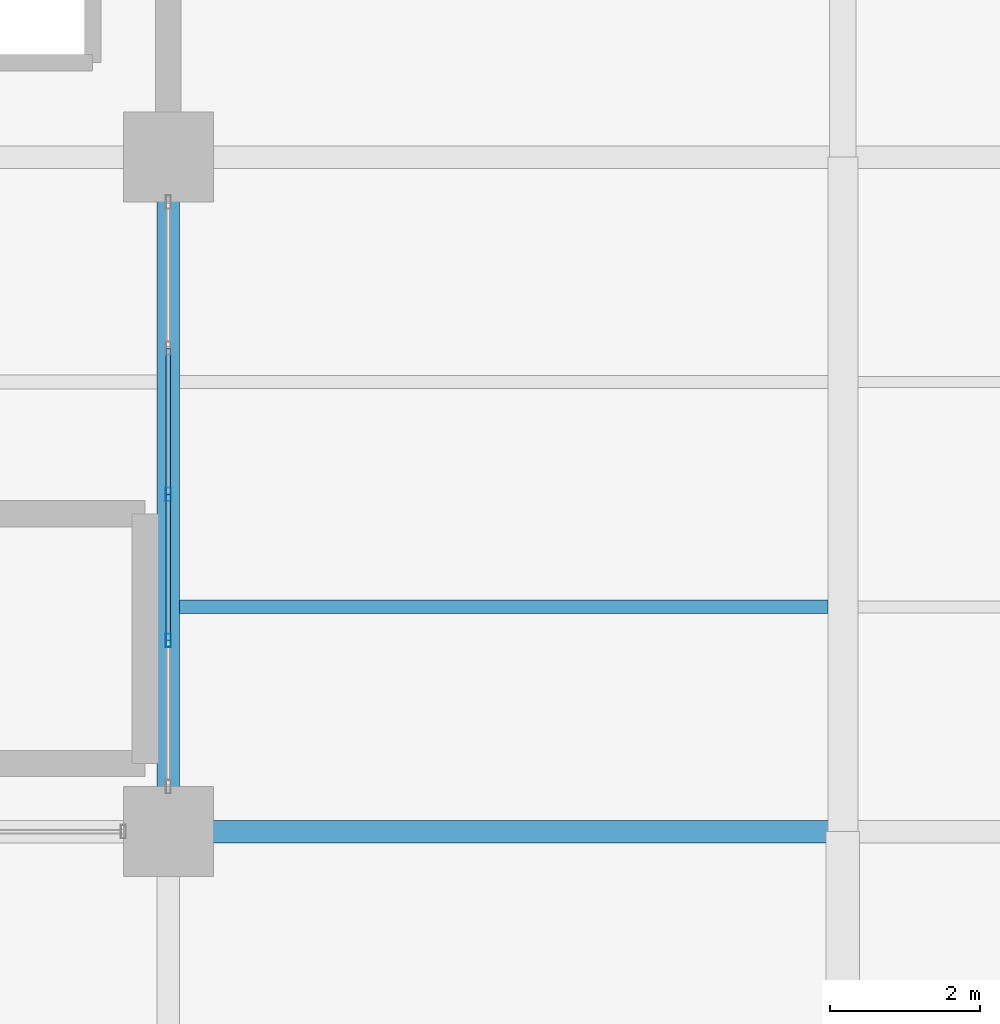
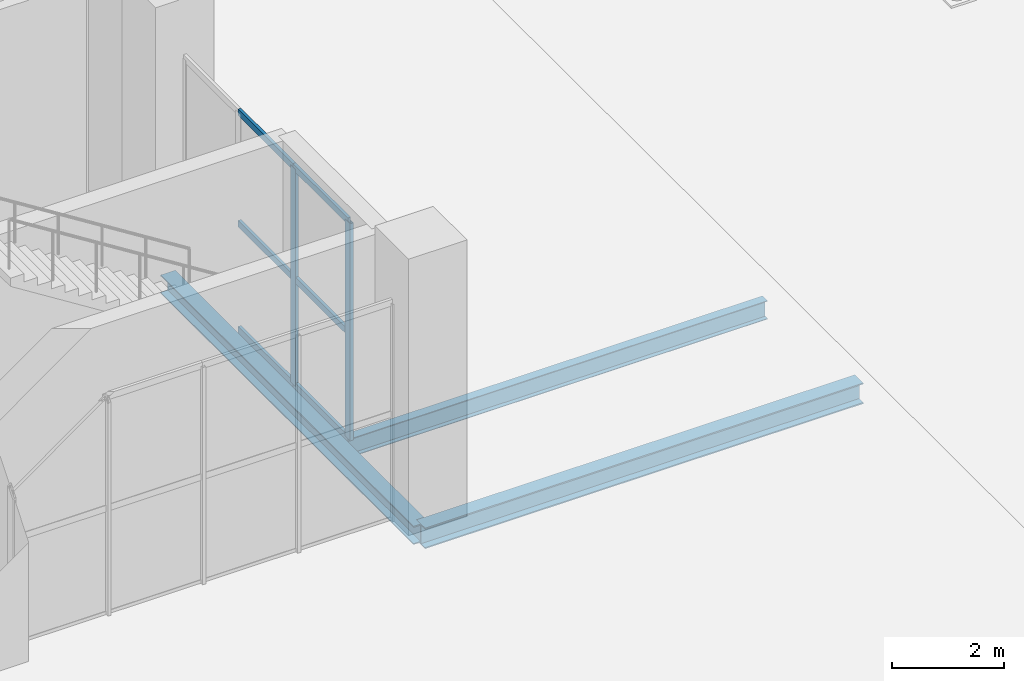
# One storey, part 36 of 144: 8 members, 3 beams, 1 element without a shape of its own.
"""IFC4 building model written with IfcOpenShell, lengths in metres."""

from ifc_helpers import new_model, si_unit, direction, frame, origin, origin_2d, place, context, subcontext, project, spatial, hollow_rectangle, i_section, extrude, material, layer, layer_set, material_profile, profile_set, type_object, element, aggregate, save


model = new_model("IFC4")

# Units and contexts
model_context = context("Model", 3, precision=1e-05, world=origin(), true_north=direction((0.0, 1.0)))
body_context = subcontext(model_context, "Body", "Model", "MODEL_VIEW")
ifc_project = project(units=[si_unit("LENGTHUNIT", "METRE"), si_unit("AREAUNIT", "SQUARE_METRE"), si_unit("VOLUMEUNIT", "CUBIC_METRE"), si_unit("PLANEANGLEUNIT", "RADIAN"), si_unit("MASSUNIT", "GRAM", prefix="KILO")], contexts=[model_context])

# Site, building, storey
site_placement = place(None, origin())
site = spatial("IfcSite", under=ifc_project, at=site_placement, CompositionType="ELEMENT")
building_placement = place(site_placement, origin())
building = spatial("IfcBuilding", under=site, at=building_placement, Name="Sundgate Opera House", CompositionType="ELEMENT")
storey_placement = place(building_placement, origin())
storey = spatial("IfcBuildingStorey", under=building, at=storey_placement, Name="L00", CompositionType="ELEMENT", Elevation=0.0)

# Beams
ifc_material_1 = material(Name="Steel S355J2", Category="steel")
ifc_material_profile_1 = material_profile(ifc_material_1, i_section(OverallWidth=0.300048828125, OverallDepth=0.39990234375, WebThickness=0.013427734375, FlangeThickness=0.02392578125, at=origin_2d()), Name="HEB 400")
ifc_profile_set_1 = profile_set([ifc_material_profile_1], Name="Steel S355J2")
beam_type_1 = type_object("IfcBeamType", Name="BM-GR-HEB400", PredefinedType="BEAM", material=ifc_profile_set_1)
beam_1_placement = place(storey_placement, frame((72.0, 42.0, -0.52001953125), z_axis=(0.0, 1.0, 0.0), x_axis=(-1.0, 0.0, 0.0)))
element("IfcBeam", 1, at=beam_1_placement, inside=storey, type_object=beam_type_1, Name="L00 Primary N-S Girder B0153", PredefinedType="BEAM", context=body_context, shape_type="SweptSolid", body=[
    extrude(i_section(OverallWidth=0.300048828125, OverallDepth=0.39990234375, WebThickness=0.013427734375, FlangeThickness=0.02392578125, at=origin_2d()), origin(), (0.0, 0.0, 1.0), 9.0),
])
ifc_material_2 = material(Name="Steel S355J2", Category="steel")
ifc_material_profile_2 = material_profile(ifc_material_2, i_section(OverallWidth=0.300048828125, OverallDepth=0.449951171875, WebThickness=0.013916015625, FlangeThickness=0.02587890625, at=origin_2d()), Name="HEB 450")
ifc_profile_set_2 = profile_set([ifc_material_profile_2], Name="Steel S355J2")
beam_type_2 = type_object("IfcBeamType", Name="BM-GR-HEB450", PredefinedType="BEAM", material=ifc_profile_set_2)
beam_2_placement = place(storey_placement, frame((72.0, 42.0, -0.544921875), z_axis=(1.0, 0.0, 0.0), x_axis=(0.0, 1.0, 0.0)))
element("IfcBeam", 2, at=beam_2_placement, inside=storey, type_object=beam_type_2, Name="L00 Primary E-W Girder B0415", PredefinedType="BEAM", context=body_context, shape_type="SweptSolid", body=[
    extrude(i_section(OverallWidth=0.300048828125, OverallDepth=0.449951171875, WebThickness=0.013916015625, FlangeThickness=0.02587890625, at=origin_2d()), origin(), (0.0, 0.0, 1.0), 9.0),
])
ifc_material_3 = material(Name="Steel S355J2", Category="steel")
ifc_material_profile_3 = material_profile(ifc_material_3, i_section(OverallWidth=0.179931640625, OverallDepth=0.39990234375, WebThickness=0.008544921875, FlangeThickness=0.013427734375, at=origin_2d()), Name="IPE 400")
ifc_profile_set_3 = profile_set([ifc_material_profile_3], Name="Steel S355J2")
beam_type_3 = type_object("IfcBeamType", Name="BM-JS-IPE400", PredefinedType="JOIST", material=ifc_profile_set_3)
beam_3_placement = place(storey_placement, frame((72.14990234375, 45.0, -0.52001953125), z_axis=(1.0, 0.0, 0.0), x_axis=(0.0, 1.0, 0.0)))
element("IfcBeam", 3, at=beam_3_placement, inside=storey, type_object=beam_type_3, Name="L00 Secondary Floor Joist B0757", PredefinedType="JOIST", context=body_context, shape_type="SweptSolid", body=[
    extrude(i_section(OverallWidth=0.179931640625, OverallDepth=0.39990234375, WebThickness=0.008544921875, FlangeThickness=0.013427734375, at=origin_2d()), origin(), (0.0, 0.0, 1.0), 8.650146484375),
])

# Curtain wall, members
ifc_material_4 = material(Name="Anodized aluminium and low-iron glass", Category="aluminium")
ifc_layer = layer(ifc_material_4, 0.179931640625)
ifc_layer_set = layer_set([ifc_layer], Name="Anodized aluminium and low-iron glass")
curtain_wall_type = type_object("IfcCurtainWallType", Name="CW-FOYER-GLASS", PredefinedType="NOTDEFINED", material=ifc_layer_set)
curtain_wall_placement = place(storey_placement, origin())
curtain_wall = element("IfcCurtainWall", 4, at=curtain_wall_placement, inside=storey, type_object=curtain_wall_type, Name="L00 Curtain Wall CW008", PredefinedType="NOTDEFINED")
ifc_material_5 = material(Name="Anodized aluminium EN AW-6063", Category="aluminium")
ifc_material_profile_4 = material_profile(ifc_material_5, hollow_rectangle(XDim=0.06494140625, YDim=0.179931640625, WallThickness=0.00390625, at=origin_2d()), Name="CWM 180x65x4")
ifc_profile_set_4 = profile_set([ifc_material_profile_4], Name="Anodized aluminium EN AW-6063")
member_type_1 = type_object("IfcMemberType", Name="CWM-ALU-180x65", PredefinedType="MULLION", material=ifc_profile_set_4)
member_1_placement = place(storey_placement, frame((72.0, 44.550048828125, 0.0), z_axis=(0.0, 0.0, 1.0), x_axis=(1.0, 0.0, 0.0)))
member_1 = element("IfcMember", 5, at=member_1_placement, type_object=member_type_1, Name="CW008 Mullion 2", PredefinedType="MULLION", context=body_context, shape_type="SweptSolid", body=[
    extrude(hollow_rectangle(XDim=0.06494140625, YDim=0.179931640625, WallThickness=0.00390625, at=origin_2d()), origin(), (0.0, 0.0, 1.0), 4.715087890625),
])
member_2_placement = place(storey_placement, frame((72.0, 46.5, 0.0), z_axis=(0.0, 0.0, 1.0), x_axis=(1.0, 0.0, 0.0)))
member_2 = element("IfcMember", 6, at=member_2_placement, type_object=member_type_1, Name="CW008 Mullion 3", PredefinedType="MULLION", context=body_context, shape_type="SweptSolid", body=[
    extrude(hollow_rectangle(XDim=0.06494140625, YDim=0.179931640625, WallThickness=0.00390625, at=origin_2d()), origin(), (0.0, 0.0, 1.0), 4.715087890625),
])
ifc_material_6 = material(Name="Anodized aluminium EN AW-6063", Category="aluminium")
ifc_material_profile_5 = material_profile(ifc_material_6, hollow_rectangle(XDim=0.06005859375, YDim=0.139892578125, WallThickness=0.00390625, at=origin_2d()), Name="CWT 140x60x4")
ifc_profile_set_5 = profile_set([ifc_material_profile_5], Name="Anodized aluminium EN AW-6063")
member_type_2 = type_object("IfcMemberType", Name="CWT-ALU-140x60", PredefinedType="USERDEFINED", material=ifc_profile_set_5)
member_3_placement = place(storey_placement, frame((72.0, 44.550048828125, 0.0), z_axis=(0.0, 1.0, 0.0), x_axis=(-1.0, 0.0, 0.0)))
member_3 = element("IfcMember", 7, at=member_3_placement, type_object=member_type_2, Name="CW008 Transom 4", ObjectType="TRANSOM", PredefinedType="USERDEFINED", context=body_context, shape_type="SweptSolid", body=[
    extrude(hollow_rectangle(XDim=0.06005859375, YDim=0.139892578125, WallThickness=0.00390625, at=origin_2d()), origin(), (0.0, 0.0, 1.0), 1.949951171875),
])
member_4_placement = place(storey_placement, frame((72.0, 44.550048828125, 2.300048828125), z_axis=(0.0, 1.0, 0.0), x_axis=(-1.0, 0.0, 0.0)))
member_4 = element("IfcMember", 8, at=member_4_placement, type_object=member_type_2, Name="CW008 Transom 5", ObjectType="TRANSOM", PredefinedType="USERDEFINED", context=body_context, shape_type="SweptSolid", body=[
    extrude(hollow_rectangle(XDim=0.06005859375, YDim=0.139892578125, WallThickness=0.00390625, at=origin_2d()), origin(), (0.0, 0.0, 1.0), 1.949951171875),
])
member_5_placement = place(storey_placement, frame((72.0, 44.550048828125, 4.715087890625), z_axis=(0.0, 1.0, 0.0), x_axis=(-1.0, 0.0, 0.0)))
member_5 = element("IfcMember", 9, at=member_5_placement, type_object=member_type_2, Name="CW008 Transom 6", ObjectType="TRANSOM", PredefinedType="USERDEFINED", context=body_context, shape_type="SweptSolid", body=[
    extrude(hollow_rectangle(XDim=0.06005859375, YDim=0.139892578125, WallThickness=0.00390625, at=origin_2d()), origin(), (0.0, 0.0, 1.0), 1.949951171875),
])
member_6_placement = place(storey_placement, frame((72.0, 46.5, 0.0), z_axis=(0.0, 1.0, 0.0), x_axis=(-1.0, 0.0, 0.0)))
member_6 = element("IfcMember", 10, at=member_6_placement, type_object=member_type_2, Name="CW008 Transom 7", ObjectType="TRANSOM", PredefinedType="USERDEFINED", context=body_context, shape_type="SweptSolid", body=[
    extrude(hollow_rectangle(XDim=0.06005859375, YDim=0.139892578125, WallThickness=0.00390625, at=origin_2d()), origin(), (0.0, 0.0, 1.0), 1.949951171875),
])
member_7_placement = place(storey_placement, frame((72.0, 46.5, 2.300048828125), z_axis=(0.0, 1.0, 0.0), x_axis=(-1.0, 0.0, 0.0)))
member_7 = element("IfcMember", 11, at=member_7_placement, type_object=member_type_2, Name="CW008 Transom 8", ObjectType="TRANSOM", PredefinedType="USERDEFINED", context=body_context, shape_type="SweptSolid", body=[
    extrude(hollow_rectangle(XDim=0.06005859375, YDim=0.139892578125, WallThickness=0.00390625, at=origin_2d()), origin(), (0.0, 0.0, 1.0), 1.949951171875),
])
member_8_placement = place(storey_placement, frame((72.0, 46.5, 4.715087890625), z_axis=(0.0, 1.0, 0.0), x_axis=(-1.0, 0.0, 0.0)))
member_8 = element("IfcMember", 12, at=member_8_placement, type_object=member_type_2, Name="CW008 Transom 9", ObjectType="TRANSOM", PredefinedType="USERDEFINED", context=body_context, shape_type="SweptSolid", body=[
    extrude(hollow_rectangle(XDim=0.06005859375, YDim=0.139892578125, WallThickness=0.00390625, at=origin_2d()), origin(), (0.0, 0.0, 1.0), 1.949951171875),
])
aggregate(curtain_wall, [member_1, member_2, member_3, member_4, member_5, member_6, member_7, member_8])

save(model, "model.ifc")
